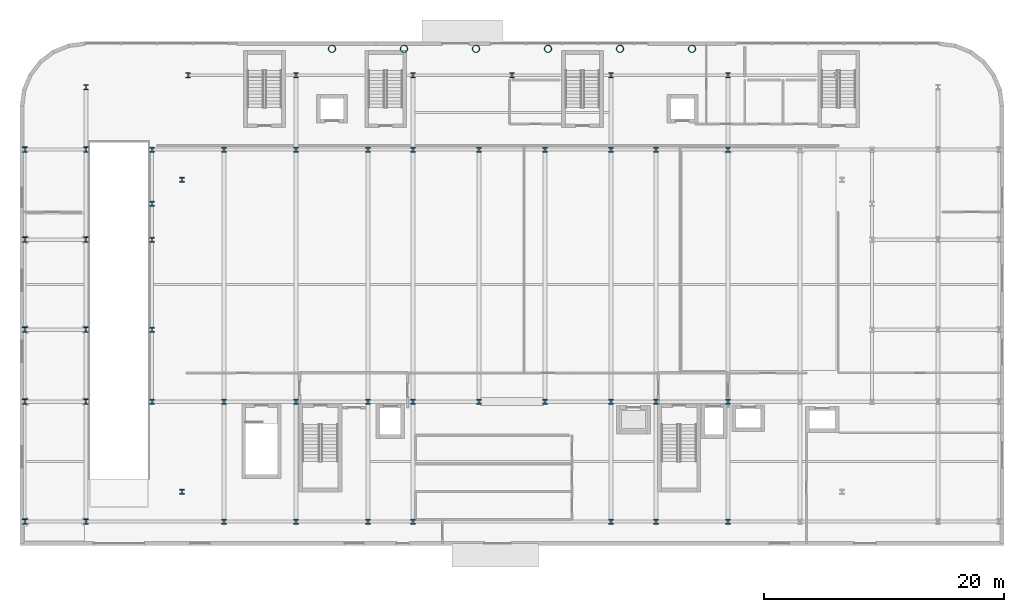
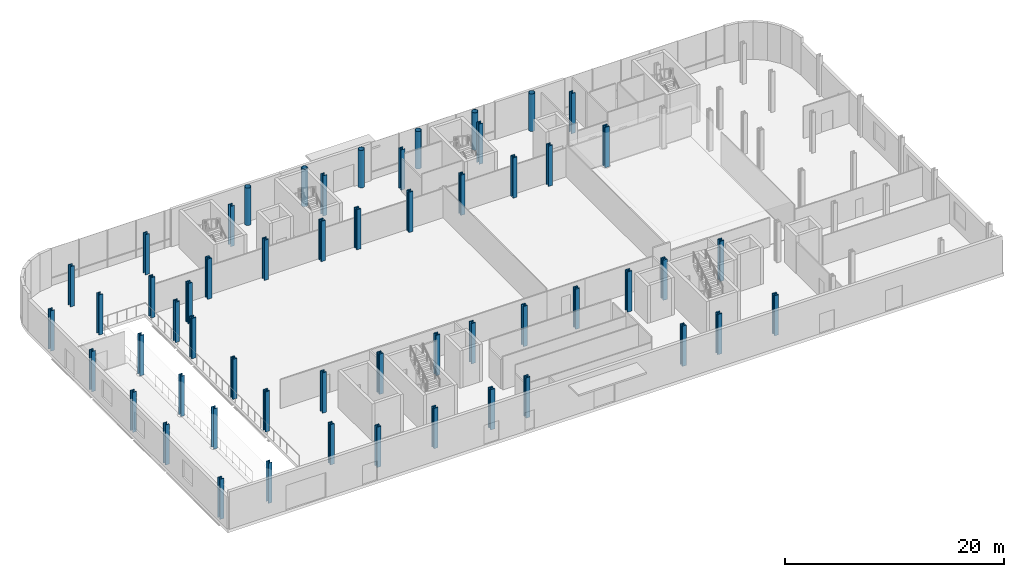
# One storey, part 1 of 28: 55 columns.
"""IFC4 building model written with IfcOpenShell, lengths in metres."""

from ifc_helpers import new_model, si_unit, direction, frame, origin, origin_2d, place, context, subcontext, project, spatial, hollow_circle, i_section, extrude, material, material_profile, profile_set, type_object, element, save


model = new_model("IFC4")

# Units and contexts
model_context = context("Model", 3, precision=1e-05, world=origin(), true_north=direction((0.0, 1.0)))
body_context = subcontext(model_context, "Body", "Model", "MODEL_VIEW")
ifc_project = project(units=[si_unit("LENGTHUNIT", "METRE"), si_unit("AREAUNIT", "SQUARE_METRE"), si_unit("VOLUMEUNIT", "CUBIC_METRE"), si_unit("PLANEANGLEUNIT", "RADIAN"), si_unit("MASSUNIT", "GRAM", prefix="KILO")], contexts=[model_context])

# Site, building, storey
site_placement = place(None, origin())
site = spatial("IfcSite", under=ifc_project, at=site_placement, CompositionType="ELEMENT")
building_placement = place(site_placement, origin())
building = spatial("IfcBuilding", under=site, at=building_placement, Name="Brevholm Reach", CompositionType="ELEMENT")
storey_placement = place(building_placement, origin())
storey = spatial("IfcBuildingStorey", under=building, at=storey_placement, Name="L00", CompositionType="ELEMENT", Elevation=0.0)

# Columns
ifc_material_1 = material(Name="Structural Steel S460ML", Category="steel")
ifc_material_profile_1 = material_profile(ifc_material_1, i_section(OverallWidth=0.427978515625, OverallDepth=0.468994140625, WebThickness=0.077880859375, FlangeThickness=0.125, FilletRadius=0.014892578125, at=origin_2d()), Name="HD 400x1086")
ifc_profile_set_1 = profile_set([ifc_material_profile_1], Name="Structural Steel S460ML")
column_type_1 = type_object("IfcColumnType", Name="COL-HD1", PredefinedType="COLUMN", material=ifc_profile_set_1)
for number, where, z_axis, x_axis, name in (
    (1, (0.0, 10.0, 0.0), (0.0, 0.0, 1.0), (1.0, 0.0, 0.0), "L00 Column 12"),
    (2, (0.0, 16.0, 0.0), (0.0, 0.0, 1.0), (1.0, 0.0, 0.0), "L00 Column 13"),
    (3, (0.0, 23.5, 0.0), (0.0, 0.0, 1.0), (1.0, 0.0, 0.0), "L00 Column 14"),
    (4, (0.0, 26.5, 0.0), (0.0, 0.0, 1.0), (1.0, 0.0, 0.0), "L00 Column 15"),
    (5, (0.0, 31.0, 0.0), (0.0, 0.0, 1.0), (1.0, 0.0, 0.0), "L00 Column 16"),
    (6, (2.5, 2.5, 0.0), (0.0, 0.0, 1.0), (1.0, 0.0, 0.0), "L00 Column 17"),
    (7, (2.5, 28.5, 0.0), (0.0, 0.0, 1.0), (1.0, 0.0, 0.0), "L00 Column 18"),
    (8, (6.0, 0.0, 0.0), (0.0, 0.0, 1.0), (1.0, 0.0, 0.0), "L00 Column 20"),
    (9, (6.0, 10.0, 0.0), (0.0, 0.0, 1.0), (1.0, 0.0, 0.0), "L00 Column 21"),
    (10, (6.0, 31.0, 0.0), (0.0, 0.0, 1.0), (1.0, 0.0, 0.0), "L00 Column 22"),
    (11, (12.0, 0.0, 0.0), (0.0, 0.0, 1.0), (1.0, 0.0, 0.0), "L00 Column 23"),
    (12, (12.0, 10.0, 0.0), (0.0, 0.0, 1.0), (1.0, 0.0, 0.0), "L00 Column 24"),
    (13, (12.0, 31.0, 0.0), (0.0, 0.0, 1.0), (1.0, 0.0, 0.0), "L00 Column 25"),
    (14, (18.0, 0.0, 0.0), (0.0, 0.0, 1.0), (1.0, 0.0, 0.0), "L00 Column 27"),
    (15, (18.0, 10.0, 0.0), (0.0, 0.0, 1.0), (1.0, 0.0, 0.0), "L00 Column 28"),
    (16, (18.0, 31.0, 0.0), (0.0, 0.0, 1.0), (1.0, 0.0, 0.0), "L00 Column 29"),
    (17, (21.75, 0.0, 0.0), (0.0, 0.0, 1.0), (1.0, 0.0, 0.0), "L00 Column 30"),
    (18, (21.75, 10.0, 0.0), (0.0, 0.0, 1.0), (1.0, 0.0, 0.0), "L00 Column 31"),
    (19, (21.75, 31.0, 0.0), (0.0, 0.0, 1.0), (1.0, 0.0, 0.0), "L00 Column 32"),
    (20, (27.25, 10.0, 0.0), (0.0, 0.0, 1.0), (1.0, 0.0, 0.0), "L00 Column 34"),
    (21, (27.25, 31.0, 0.0), (0.0, 0.0, 1.0), (1.0, 0.0, 0.0), "L00 Column 35"),
    (22, (32.75, 10.0, 0.0), (0.0, 0.0, 1.0), (1.0, 0.0, 0.0), "L00 Column 37"),
    (23, (32.75, 31.0, 0.0), (0.0, 0.0, 1.0), (1.0, 0.0, 0.0), "L00 Column 38"),
    (24, (38.25, 0.0, 0.0), (0.0, 0.0, 1.0), (1.0, 0.0, 0.0), "L00 Column 39"),
    (25, (38.25, 10.0, 0.0), (0.0, 0.0, 1.0), (1.0, 0.0, 0.0), "L00 Column 40"),
    (26, (38.25, 31.0, 0.0), (0.0, 0.0, 1.0), (1.0, 0.0, 0.0), "L00 Column 41"),
    (27, (42.0, 0.0, 0.0), (0.0, 0.0, 1.0), (1.0, 0.0, 0.0), "L00 Column 43"),
    (28, (42.0, 10.0, 0.0), (0.0, 0.0, 1.0), (1.0, 0.0, 0.0), "L00 Column 44"),
    (29, (42.0, 31.0, 0.0), (0.0, 0.0, 1.0), (1.0, 0.0, 0.0), "L00 Column 45"),
    (30, (48.0, 0.0, 0.0), (0.0, 0.0, 1.0), (1.0, 0.0, 0.0), "L00 Column 46"),
    (31, (48.0, 10.0, 0.0), (0.0, 0.0, 1.0), (1.0, 0.0, 0.0), "L00 Column 47"),
    (32, (48.0, 31.0, 0.0), (0.0, 0.0, 1.0), (1.0, 0.0, 0.0), "L00 Column 48"),
):
    element("IfcColumn", number, at=place(storey_placement, frame(where, z_axis=z_axis, x_axis=x_axis)), inside=storey, type_object=column_type_1, Name=name, PredefinedType="COLUMN", context=body_context, shape_type="SweptSolid", body=[
        extrude(i_section(OverallWidth=0.427978515625, OverallDepth=0.468994140625, WebThickness=0.077880859375, FlangeThickness=0.125, FilletRadius=0.014892578125, at=origin_2d()), origin(), (0.0, 0.0, 1.0), 4.5),
    ])
ifc_material_2 = material(Name="Structural Steel S355J2H", Category="steel")
ifc_material_profile_2 = material_profile(ifc_material_2, hollow_circle(Radius=0.304931640625, WallThickness=0.02490234375, at=origin_2d()), Name="CHS 610x25")
ifc_profile_set_2 = profile_set([ifc_material_profile_2], Name="Structural Steel S355J2H")
column_type_2 = type_object("IfcColumnType", Name="COL-PIL1", PredefinedType="PILASTER", material=ifc_profile_set_2)
for number, where, z_axis, x_axis, name in (
    (33, (15.0, 39.39990234375, 0.0), (0.0, 0.0, 1.0), (1.0, 0.0, 0.0), "L00 Waterfront Entrance Pilaster CP-01"),
    (34, (21.0, 39.39990234375, 0.0), (0.0, 0.0, 1.0), (1.0, 0.0, 0.0), "L00 Waterfront Entrance Pilaster CP-02"),
    (35, (27.0, 39.39990234375, 0.0), (0.0, 0.0, 1.0), (1.0, 0.0, 0.0), "L00 Waterfront Entrance Pilaster CP-03"),
    (36, (33.0, 39.39990234375, 0.0), (0.0, 0.0, 1.0), (1.0, 0.0, 0.0), "L00 Waterfront Entrance Pilaster CP-04"),
    (37, (39.0, 39.39990234375, 0.0), (0.0, 0.0, 1.0), (1.0, 0.0, 0.0), "L00 Waterfront Entrance Pilaster CP-05"),
    (38, (45.0, 39.39990234375, 0.0), (0.0, 0.0, 1.0), (1.0, 0.0, 0.0), "L00 Waterfront Entrance Pilaster CP-06"),
):
    element("IfcColumn", number, at=place(storey_placement, frame(where, z_axis=z_axis, x_axis=x_axis)), inside=storey, type_object=column_type_2, Name=name, PredefinedType="PILASTER", context=body_context, shape_type="SweptSolid", body=[
        extrude(hollow_circle(Radius=0.304931640625, WallThickness=0.02490234375, at=origin_2d()), origin(), (0.0, 0.0, 1.0), 4.179931640625),
    ])
ifc_material_3 = material(Name="Structural Steel S460ML", Category="steel")
ifc_material_profile_3 = material_profile(ifc_material_3, i_section(OverallWidth=0.412109375, OverallDepth=0.4365234375, WebThickness=0.035888671875, FlangeThickness=0.05810546875, FilletRadius=0.01513671875, at=origin_2d()), Name="UKC 356x406x467")
ifc_profile_set_3 = profile_set([ifc_material_profile_3], Name="Structural Steel S460ML")
column_type_3 = type_object("IfcColumnType", Name="COL-UC3", PredefinedType="COLUMN", material=ifc_profile_set_3)
for number, where, z_axis, x_axis, name in (
    (39, (-10.60009765625, 0.0, 0.0), (0.0, 0.0, 1.0), (1.0, 0.0, 0.0), "L00 Column 01"),
    (40, (-10.60009765625, 10.0, 0.0), (0.0, 0.0, 1.0), (1.0, 0.0, 0.0), "L00 Column 02"),
    (41, (-10.60009765625, 16.0, 0.0), (0.0, 0.0, 1.0), (1.0, 0.0, 0.0), "L00 Column 03"),
    (42, (-10.60009765625, 23.5, 0.0), (0.0, 0.0, 1.0), (1.0, 0.0, 0.0), "L00 Column 04"),
    (43, (-10.60009765625, 31.0, 0.0), (0.0, 0.0, 1.0), (1.0, 0.0, 0.0), "L00 Column 05"),
    (44, (-5.5, 0.0, 0.0), (0.0, 0.0, 1.0), (1.0, 0.0, 0.0), "L00 Column 06"),
    (45, (-5.5, 10.0, 0.0), (0.0, 0.0, 1.0), (1.0, 0.0, 0.0), "L00 Column 07"),
    (46, (-5.5, 16.0, 0.0), (0.0, 0.0, 1.0), (1.0, 0.0, 0.0), "L00 Column 08"),
    (47, (-5.5, 23.5, 0.0), (0.0, 0.0, 1.0), (1.0, 0.0, 0.0), "L00 Column 09"),
    (48, (-5.5, 31.0, 0.0), (0.0, 0.0, 1.0), (1.0, 0.0, 0.0), "L00 Column 10"),
    (49, (-5.5, 36.199951171875, 0.0), (0.0, 0.0, 1.0), (1.0, 0.0, 0.0), "L00 Column 11"),
    (50, (3.0, 37.199951171875, 0.0), (0.0, 0.0, 1.0), (1.0, 0.0, 0.0), "L00 Column 19"),
    (51, (12.0, 37.199951171875, 0.0), (0.0, 0.0, 1.0), (1.0, 0.0, 0.0), "L00 Column 26"),
    (52, (21.75, 37.199951171875, 0.0), (0.0, 0.0, 1.0), (1.0, 0.0, 0.0), "L00 Column 33"),
    (53, (30.0, 37.199951171875, 0.0), (0.0, 0.0, 1.0), (1.0, 0.0, 0.0), "L00 Column 36"),
    (54, (38.25, 37.199951171875, 0.0), (0.0, 0.0, 1.0), (1.0, 0.0, 0.0), "L00 Column 42"),
    (55, (48.0, 37.199951171875, 0.0), (0.0, 0.0, 1.0), (1.0, 0.0, 0.0), "L00 Column 49"),
):
    element("IfcColumn", number, at=place(storey_placement, frame(where, z_axis=z_axis, x_axis=x_axis)), inside=storey, type_object=column_type_3, Name=name, PredefinedType="COLUMN", context=body_context, shape_type="SweptSolid", body=[
        extrude(i_section(OverallWidth=0.412109375, OverallDepth=0.4365234375, WebThickness=0.035888671875, FlangeThickness=0.05810546875, FilletRadius=0.01513671875, at=origin_2d()), origin(), (0.0, 0.0, 1.0), 4.5),
    ])

save(model, "model.ifc")
